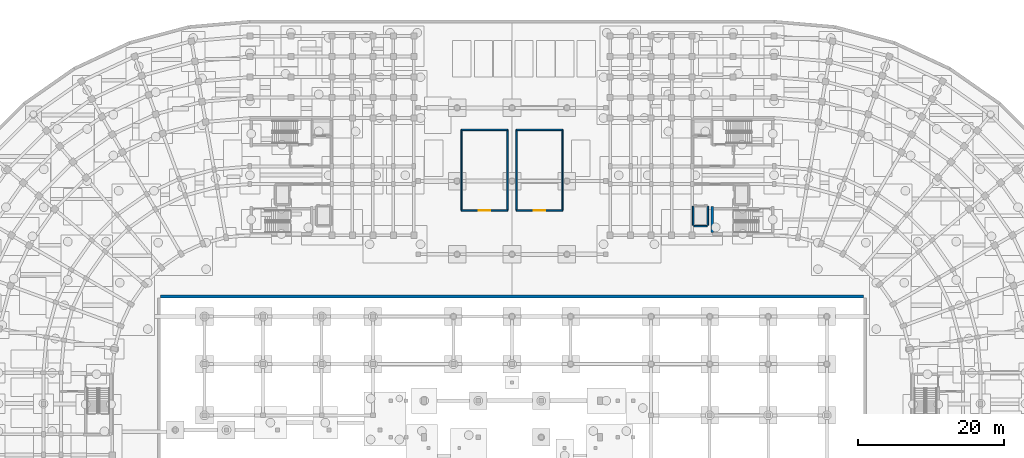
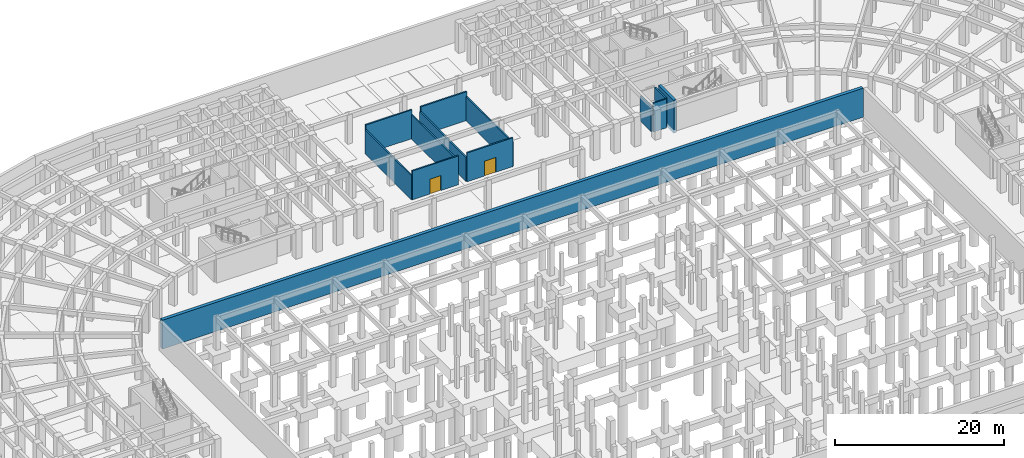
# One storey, part 35 of 53: 13 walls, 2 doors, 2 openings.
"""IFC4 building model written with IfcOpenShell, lengths in metres."""

import ifcopenshell
import ifcopenshell.guid

model = None  # the IFC model being written
_history = None  # IfcOwnerHistory: only IFC2X3 demands one
_inside = {}  # id of a spatial element -> (the spatial element, [elements in it])
_under = {}  # id of a project, library or spatial element -> (it, [spatial elements below it])
_declared = {}  # id of a project -> (the project, [libraries it declares])
_typed = {}  # id of a type object -> (the type object, [elements of that type])
_made_of = {}  # id of a material, layer set ... -> (it, [elements and type objects made of it])


def new_model(schema):
    """Start an empty IFC model of exactly this schema.

    Asked for "IFC4X3", IfcOpenShell would pick the latest addendum, in which some entities
    have other attributes; the version numbers below select the first issue.
    IFC2X3 requires an IfcOwnerHistory on every rooted entity: one is made here for all.
    """
    global model, _history
    if schema == "IFC4X3":
        model = ifcopenshell.file(schema_version=(4, 3, 0, 0))
    else:
        model = ifcopenshell.file(schema=schema)
    _inside.clear()
    _under.clear()
    _declared.clear()
    _typed.clear()
    _made_of.clear()
    _history = None
    if model.schema == "IFC2X3":
        org = make("IfcOrganization", Name="unknown")
        user = make(
            "IfcPersonAndOrganization",
            ThePerson=make("IfcPerson", FamilyName="unknown"),
            TheOrganization=org,
        )
        app = make(
            "IfcApplication",
            ApplicationDeveloper=org,
            Version="unknown",
            ApplicationFullName="unknown",
            ApplicationIdentifier="unknown",
        )
        _history = make(
            "IfcOwnerHistory",
            OwningUser=user,
            OwningApplication=app,
            ChangeAction="ADDED",
            CreationDate=0,
        )
    return model


def make(cls, **values):
    """One entity of the class cls with the attributes given. An attribute that is None is left unset."""
    return model.create_entity(
        cls, **{name: value for name, value in values.items() if value is not None}
    )


def rooted(cls, **values):
    """An entity with a GlobalId (a new one), such as an element, a storey or a relation."""
    return make(cls, GlobalId=ifcopenshell.guid.new(), OwnerHistory=_history, **values)


def si_unit(unit_type, name, prefix=None):
    """IfcSIUnit, for example si_unit("LENGTHUNIT", "METRE", prefix="MILLI")."""
    return make("IfcSIUnit", UnitType=unit_type, Prefix=prefix, Name=name)


def assignment(units):
    """IfcUnitAssignment: the units of a project."""
    return None if units is None else make("IfcUnitAssignment", Units=units)


def point(xyz):
    """IfcCartesianPoint."""
    return None if xyz is None else make("IfcCartesianPoint", Coordinates=xyz)


def direction(xyz):
    """IfcDirection."""
    return None if xyz is None else make("IfcDirection", DirectionRatios=xyz)


def frame(location, z_axis=None, x_axis=None):
    """IfcAxis2Placement3D, a coordinate frame: its origin and axes. An axis left out is left unset."""
    return make(
        "IfcAxis2Placement3D",
        Location=point(location),
        Axis=direction(z_axis),
        RefDirection=direction(x_axis),
    )


def frame_2d(location, x_axis=None):
    """IfcAxis2Placement2D, a coordinate frame in the plane: its origin and x axis."""
    return make(
        "IfcAxis2Placement2D", Location=point(location), RefDirection=direction(x_axis)
    )


def origin():
    """The frame at (0, 0, 0) with its axes left unset."""
    return frame((0.0, 0.0, 0.0))


def place(relative_to, where):
    """IfcLocalPlacement: puts the frame where relative to a parent placement (None: the world)."""
    return make(
        "IfcLocalPlacement", PlacementRelTo=relative_to, RelativePlacement=where
    )


def context(
    kind, dimensions, precision=None, world=None, true_north=None, identifier=None
):
    """IfcGeometricRepresentationContext, for example the 3D "Model" context."""
    return make(
        "IfcGeometricRepresentationContext",
        ContextIdentifier=identifier,
        ContextType=kind,
        CoordinateSpaceDimension=dimensions,
        Precision=precision,
        WorldCoordinateSystem=world,
        TrueNorth=true_north,
    )


def subcontext(parent, identifier, kind, view, scale=None):
    """IfcGeometricRepresentationSubContext, for example "Body" below "Model"."""
    return make(
        "IfcGeometricRepresentationSubContext",
        ContextIdentifier=identifier,
        ContextType=kind,
        ParentContext=parent,
        TargetScale=scale,
        TargetView=view,
    )


def project(units=None, contexts=None):
    """IfcProject with its units and contexts."""
    return rooted(
        "IfcProject",
        Name="project",
        RepresentationContexts=contexts,
        UnitsInContext=assignment(units),
    )


def spatial(cls, under=None, at=None, **own):
    """A site, building, storey or space (cls), placed at a placement, below another one or the project."""
    s = rooted(cls, ObjectPlacement=at, **own)
    if under is not None:
        _under.setdefault(under.id(), (under, []))[1].append(s)
    return s


def profile(cls, at=None, kind="AREA", **sizes):
    """A parametric profile (cls). Its sizes go by their IFC names, for example OverallWidth=200.0."""
    return make(cls, ProfileType=kind, Position=at, **sizes)


def rectangle(**sizes):
    """IfcRectangleProfileDef."""
    return profile("IfcRectangleProfileDef", **sizes)


def extrude(swept, where, along, depth):
    """IfcExtrudedAreaSolid: the profile swept, set in the frame where, extruded along a direction by depth."""
    return make(
        "IfcExtrudedAreaSolid",
        SweptArea=swept,
        Position=where,
        ExtrudedDirection=direction(along),
        Depth=depth,
    )


def shape(context_of_items, identifier, shape_type, items):
    """IfcShapeRepresentation: the items that make up one representation, for example the "Body"."""
    return make(
        "IfcShapeRepresentation",
        ContextOfItems=context_of_items,
        RepresentationIdentifier=identifier,
        RepresentationType=shape_type,
        Items=items,
    )


def material(Name=None, Category=None):
    """IfcMaterial."""
    return make("IfcMaterial", Name=Name, Category=Category)


def layer(
    of_material, thickness, ventilated=None, Name=None, Category=None, Priority=None
):
    """IfcMaterialLayer: one layer of a wall or slab, of a material (None: an air gap)."""
    return make(
        "IfcMaterialLayer",
        Material=of_material,
        LayerThickness=thickness,
        IsVentilated=ventilated,
        Name=Name,
        Category=Category,
        Priority=Priority,
    )


def layer_set(layers, Name=None):
    """IfcMaterialLayerSet."""
    return make("IfcMaterialLayerSet", MaterialLayers=layers, LayerSetName=Name)


def made_of(thing, what):
    """Note that an element or type object is made of a material, layer set ...; save() writes the relation."""
    if what is not None:
        _made_of.setdefault(what.id(), (what, []))[1].append(thing)
    return thing


def type_object(cls, material=None, **own):
    """A type object (cls), such as IfcWallType, which elements share."""
    return made_of(rooted(cls, **own), material)


def element(
    cls,
    number,
    at=None,
    inside=None,
    cuts=None,
    type_object=None,
    material=None,
    context=None,
    identifier="Body",
    shape_type=None,
    held_by="IfcProductDefinitionShape",
    body=None,
    shapes=None,
    **own,
):
    """One element of the class cls, such as IfcWall. Its Tag is "e" and its number.

    at: its placement. inside: the storey or other place that contains it. cuts: it is an
    opening in that element (IfcRelVoidsElement). A single representation is given by context,
    identifier, shape_type and body (its items); several are given by shapes. held_by: the class
    of the entity that holds the representations. save() writes the other relations.
    """
    e = rooted(cls, Tag="e%d" % number, ObjectPlacement=at, **own)
    if body is not None:
        shapes = [shape(context, identifier, shape_type, body)]
    if shapes is not None:
        e.Representation = make(held_by, Representations=shapes)
    if inside is not None:
        _inside.setdefault(inside.id(), (inside, []))[1].append(e)
    if cuts is not None:
        rooted(
            "IfcRelVoidsElement", RelatingBuildingElement=cuts, RelatedOpeningElement=e
        )
    if type_object is not None:
        _typed.setdefault(type_object.id(), (type_object, []))[1].append(e)
    return made_of(e, material)


def fill(opening, filler):
    """IfcRelFillsElement: the door or window that sits in an opening."""
    return rooted(
        "IfcRelFillsElement",
        RelatingOpeningElement=opening,
        RelatedBuildingElement=filler,
    )


def aggregate(whole, parts):
    """IfcRelAggregates: a whole, such as a stair, and the parts it consists of."""
    return rooted("IfcRelAggregates", RelatingObject=whole, RelatedObjects=parts)


def save(model, path):
    """Write the relations noted so far, then the file.

    IfcRelAggregates (storeys below a building ...), IfcRelContainedInSpatialStructure (elements
    in a storey), IfcRelDefinesByType, IfcRelAssociatesMaterial and IfcRelDeclares: one each for
    every whole, place, type object, material and project.
    """
    for whole, parts in _under.values():
        aggregate(whole, parts)
    for where, things in _inside.values():
        rooted(
            "IfcRelContainedInSpatialStructure",
            RelatedElements=things,
            RelatingStructure=where,
        )
    for kind, things in _typed.values():
        rooted("IfcRelDefinesByType", RelatedObjects=things, RelatingType=kind)
    for what, things in _made_of.values():
        rooted("IfcRelAssociatesMaterial", RelatedObjects=things, RelatingMaterial=what)
    for by, libraries in _declared.values():
        rooted("IfcRelDeclares", RelatingContext=by, RelatedDefinitions=libraries)
    model.write(path)


model = new_model("IFC4")

# Units and contexts
model_context = context("Model", 3, precision=1e-05, world=origin(), true_north=direction((0.0, 1.0)))
body_context = subcontext(model_context, "Body", "Model", "MODEL_VIEW")
ifc_project = project(units=[si_unit("LENGTHUNIT", "METRE"), si_unit("AREAUNIT", "SQUARE_METRE"), si_unit("VOLUMEUNIT", "CUBIC_METRE"), si_unit("PLANEANGLEUNIT", "RADIAN"), si_unit("MASSUNIT", "GRAM", prefix="KILO")], contexts=[model_context])

# Site, building, storey
site_placement = place(None, origin())
site = spatial("IfcSite", under=ifc_project, at=site_placement, CompositionType="ELEMENT")
building_placement = place(site_placement, origin())
building = spatial("IfcBuilding", under=site, at=building_placement, Name="Kiranvali Square Residences", CompositionType="ELEMENT")
storey_placement = place(building_placement, frame((0.0, 0.0, -4.5)))
storey = spatial("IfcBuildingStorey", under=building, at=storey_placement, Name="B1", CompositionType="ELEMENT", Elevation=-4.5)

# Walls
ifc_material_1 = material(Name="Concrete M40 (40 MPa)", Category="concrete")
ifc_layer_1 = layer(ifc_material_1, 0.449951171875)
ifc_layer_set_1 = layer_set([ifc_layer_1], Name="Concrete M40 (40 MPa)")
wall_type_1 = type_object("IfcWallType", Name="WL-RET-450", PredefinedType="USERDEFINED", material=ifc_layer_set_1)
wall_1_placement = place(storey_placement, frame((132.0, 98.22509765625, 0.0), z_axis=(0.0, 0.0, 1.0), x_axis=(-1.0, 0.0, 0.0)))
element("IfcWall", 1, at=wall_1_placement, inside=storey, type_object=wall_type_1, Name="Central garden substructure retaining wall RW-GDN-N", ObjectType="RETAINING WALL", PredefinedType="USERDEFINED", context=body_context, shape_type="SweptSolid", body=[
    extrude(rectangle(XDim=96.0, YDim=0.449951171875, at=frame_2d((48.0, 0.0))), origin(), (0.0, 0.0, 1.0), 4.199951171875),
])
ifc_material_2 = material(Name="Autoclaved aerated concrete blockwork masonry", Category="masonry")
ifc_layer_2 = layer(ifc_material_2, 0.199951171875)
ifc_layer_set_2 = layer_set([ifc_layer_2], Name="Autoclaved aerated concrete blockwork masonry")
wall_type_2 = type_object("IfcWallType", Name="WL-SHF-200", PredefinedType="STANDARD", material=ifc_layer_set_2)
wall_2_placement = place(storey_placement, frame((110.75, 107.949951171875, 0.0), z_axis=(0.0, 0.0, 1.0), x_axis=(0.0, 1.0, 0.0)))
element("IfcWall", 2, at=wall_2_placement, inside=storey, type_object=wall_type_2, Name="B1 architectural wall WL-B1-B-LP1-S1", PredefinedType="STANDARD", context=body_context, shape_type="SweptSolid", body=[
    extrude(rectangle(XDim=2.60009765625, YDim=0.199951171875, at=frame_2d((1.300048828125, 0.0))), origin(), (0.0, 0.0, 1.0), 4.179931640625),
])
wall_3_placement = place(storey_placement, frame((108.75, 107.949951171875, 0.0), z_axis=(0.0, 0.0, 1.0), x_axis=(0.0, 1.0, 0.0)))
element("IfcWall", 3, at=wall_3_placement, inside=storey, type_object=wall_type_2, Name="B1 architectural wall WL-B1-B-LP1-B", PredefinedType="STANDARD", context=body_context, shape_type="SweptSolid", body=[
    extrude(rectangle(XDim=2.60009765625, YDim=0.199951171875, at=frame_2d((1.300048828125, 0.0))), origin(), (0.0, 0.0, 1.0), 3.6220703125),
])
wall_4_placement = place(storey_placement, frame((110.64990234375, 107.85009765625, 0.0), z_axis=(0.0, 0.0, 1.0), x_axis=(-1.0, 0.0, 0.0)))
element("IfcWall", 4, at=wall_4_placement, inside=storey, type_object=wall_type_2, Name="B1 architectural wall WL-B1-B-LP1-S2", PredefinedType="STANDARD", context=body_context, shape_type="SweptSolid", body=[
    extrude(rectangle(XDim=1.7998046875, YDim=0.199951171875, at=frame_2d((0.89990234375, 0.0))), origin(), (0.0, 0.0, 1.0), 4.179931640625),
])

# Wall, opening, door
wall_5_placement = place(storey_placement, frame((77.10009765625, 110.0, 0.0), z_axis=(0.0, 0.0, 1.0), x_axis=(1.0, 0.0, 0.0)))
wall_5 = element("IfcWall", 5, at=wall_5_placement, inside=storey, type_object=wall_type_2, Name="B1 architectural wall WL-B1-HVAC-S", PredefinedType="STANDARD", context=body_context, shape_type="SweptSolid", body=[
    extrude(rectangle(XDim=6.2998046875, YDim=0.199951171875, at=frame_2d((3.14990234375, 0.0))), origin(), (0.0, 0.0, 1.0), 4.179931640625),
])
opening_1_placement = place(wall_5_placement, frame((2.3798828125, 0.0, 0.0)))
opening_1 = element("IfcOpeningElement", 6, at=opening_1_placement, cuts=wall_5, Name="Opening SD-PLT-120", PredefinedType="OPENING", context=body_context, shape_type="SweptSolid", body=[
    extrude(rectangle(XDim=1.5400390625, YDim=2.14990234375, at=frame_2d((0.77001953125, 1.074951171875))), frame((0.0, 0.10986328125, 0.0), z_axis=(0.0, -1.0, 0.0), x_axis=(1.0, 0.0, 0.0)), (0.0, 0.0, 1.0), 0.219970703125),
])
ifc_material_3 = material(Name="Galvanised powder-coated steel roller shutter", Category="steel")
door_type = type_object("IfcDoorType", Name="DR-STEEL-1500", OperationType="NOTDEFINED", PredefinedType="DOOR", material=ifc_material_3)
door_1_placement = place(opening_1_placement, frame((1.5400390625, 0.0, 0.0), z_axis=(0.0, 0.0, 1.0), x_axis=(-1.0, 0.0, 0.0)))
door_1 = element("IfcDoor", 7, at=door_1_placement, inside=storey, type_object=door_type, Name="B1 door DR-B1-0038 (DR-STEEL-1500)", OperationType="SINGLE_SWING_RIGHT", OverallHeight=2.14990234375, OverallWidth=1.5400390625, PredefinedType="DOOR", context=body_context, shape_type="SweptSolid", body=[
    extrude(rectangle(XDim=1.5400390625, YDim=2.14990234375, at=frame_2d((0.77001953125, 1.074951171875))), frame((0.0, 0.02490234375, 0.0), z_axis=(0.0, -1.0, 0.0), x_axis=(1.0, 0.0, 0.0)), (0.0, 0.0, 1.0), 0.050048828125),
])
fill(opening_1, door_1)

# Walls
wall_6_placement = place(storey_placement, frame((83.39990234375, 110.0, 0.0), z_axis=(0.0, 0.0, 1.0), x_axis=(0.0, 1.0, 0.0)))
element("IfcWall", 8, at=wall_6_placement, inside=storey, type_object=wall_type_2, Name="B1 architectural wall WL-B1-HVAC-E", PredefinedType="STANDARD", context=body_context, shape_type="SweptSolid", body=[
    extrude(rectangle(XDim=11.0, YDim=0.199951171875, at=frame_2d((5.5, 0.0))), origin(), (0.0, 0.0, 1.0), 3.491943359375),
])
wall_7_placement = place(storey_placement, frame((83.39990234375, 121.0, 0.0), z_axis=(0.0, 0.0, 1.0), x_axis=(-1.0, 0.0, 0.0)))
element("IfcWall", 9, at=wall_7_placement, inside=storey, type_object=wall_type_2, Name="B1 architectural wall WL-B1-HVAC-N", PredefinedType="STANDARD", context=body_context, shape_type="SweptSolid", body=[
    extrude(rectangle(XDim=6.2998046875, YDim=0.199951171875, at=frame_2d((3.14990234375, 0.0))), origin(), (0.0, 0.0, 1.0), 4.179931640625),
])
wall_8_placement = place(storey_placement, frame((77.10009765625, 121.0, 0.0), z_axis=(0.0, 0.0, 1.0), x_axis=(0.0, -1.0, 0.0)))
element("IfcWall", 10, at=wall_8_placement, inside=storey, type_object=wall_type_2, Name="B1 architectural wall WL-B1-HVAC-W", PredefinedType="STANDARD", context=body_context, shape_type="SweptSolid", body=[
    extrude(rectangle(XDim=11.0, YDim=0.199951171875, at=frame_2d((5.5, 0.0))), origin(), (0.0, 0.0, 1.0), 3.491943359375),
])

# Wall, opening, door
wall_9_placement = place(storey_placement, frame((84.60009765625, 110.0, 0.0), z_axis=(0.0, 0.0, 1.0), x_axis=(1.0, 0.0, 0.0)))
wall_9 = element("IfcWall", 11, at=wall_9_placement, inside=storey, type_object=wall_type_2, Name="B1 architectural wall WL-B1-REFUSE-S", PredefinedType="STANDARD", context=body_context, shape_type="SweptSolid", body=[
    extrude(rectangle(XDim=6.2998046875, YDim=0.199951171875, at=frame_2d((3.14990234375, 0.0))), origin(), (0.0, 0.0, 1.0), 4.179931640625),
])
opening_2_placement = place(wall_9_placement, frame((2.3798828125, 0.0, 0.0)))
opening_2 = element("IfcOpeningElement", 12, at=opening_2_placement, cuts=wall_9, Name="Opening SD-PLT-120", PredefinedType="OPENING", context=body_context, shape_type="SweptSolid", body=[
    extrude(rectangle(XDim=1.5400390625, YDim=2.14990234375, at=frame_2d((0.77001953125, 1.074951171875))), frame((0.0, 0.10986328125, 0.0), z_axis=(0.0, -1.0, 0.0), x_axis=(1.0, 0.0, 0.0)), (0.0, 0.0, 1.0), 0.219970703125),
])
door_2_placement = place(opening_2_placement, frame((1.5400390625, 0.0, 0.0), z_axis=(0.0, 0.0, 1.0), x_axis=(-1.0, 0.0, 0.0)))
door_2 = element("IfcDoor", 13, at=door_2_placement, inside=storey, type_object=door_type, Name="B1 door DR-B1-0039 (DR-STEEL-1500)", OperationType="SINGLE_SWING_LEFT", OverallHeight=2.14990234375, OverallWidth=1.5400390625, PredefinedType="DOOR", context=body_context, shape_type="SweptSolid", body=[
    extrude(rectangle(XDim=1.5400390625, YDim=2.14990234375, at=frame_2d((0.77001953125, 1.074951171875))), frame((0.0, 0.02490234375, 0.0), z_axis=(0.0, -1.0, 0.0), x_axis=(1.0, 0.0, 0.0)), (0.0, 0.0, 1.0), 0.050048828125),
])
fill(opening_2, door_2)

# Walls
wall_10_placement = place(storey_placement, frame((90.89990234375, 110.0, 0.0), z_axis=(0.0, 0.0, 1.0), x_axis=(0.0, 1.0, 0.0)))
element("IfcWall", 14, at=wall_10_placement, inside=storey, type_object=wall_type_2, Name="B1 architectural wall WL-B1-REFUSE-E", PredefinedType="STANDARD", context=body_context, shape_type="SweptSolid", body=[
    extrude(rectangle(XDim=11.0, YDim=0.199951171875, at=frame_2d((5.5, 0.0))), origin(), (0.0, 0.0, 1.0), 3.491943359375),
])
wall_11_placement = place(storey_placement, frame((90.89990234375, 121.0, 0.0), z_axis=(0.0, 0.0, 1.0), x_axis=(-1.0, 0.0, 0.0)))
element("IfcWall", 15, at=wall_11_placement, inside=storey, type_object=wall_type_2, Name="B1 architectural wall WL-B1-REFUSE-N", PredefinedType="STANDARD", context=body_context, shape_type="SweptSolid", body=[
    extrude(rectangle(XDim=6.2998046875, YDim=0.199951171875, at=frame_2d((3.14990234375, 0.0))), origin(), (0.0, 0.0, 1.0), 4.179931640625),
])
wall_12_placement = place(storey_placement, frame((84.60009765625, 121.0, 0.0), z_axis=(0.0, 0.0, 1.0), x_axis=(0.0, -1.0, 0.0)))
element("IfcWall", 16, at=wall_12_placement, inside=storey, type_object=wall_type_2, Name="B1 architectural wall WL-B1-REFUSE-W", PredefinedType="STANDARD", context=body_context, shape_type="SweptSolid", body=[
    extrude(rectangle(XDim=11.0, YDim=0.199951171875, at=frame_2d((5.5, 0.0))), origin(), (0.0, 0.0, 1.0), 3.491943359375),
])
ifc_material_4 = material(Name="Concrete M50 (50 MPa)", Category="concrete")
ifc_layer_3 = layer(ifc_material_4, 0.35009765625)
ifc_layer_set_3 = layer_set([ifc_layer_3], Name="Concrete M50 (50 MPa)")
wall_type_3 = type_object("IfcWallType", Name="WL-SHR-350", PredefinedType="SHEAR", material=ifc_layer_set_3)
wall_13_placement = place(storey_placement, frame((111.375, 106.949951171875, -0.5), z_axis=(0.0, 0.0, 1.0), x_axis=(0.0, 1.0, 0.0)))
element("IfcWall", 17, at=wall_13_placement, inside=storey, type_object=wall_type_3, Name="Block B core shear wall SW-B2-FAR-B1", PredefinedType="SHEAR", context=body_context, shape_type="SweptSolid", body=[
    extrude(rectangle(XDim=3.60009765625, YDim=0.35009765625, at=frame_2d((1.800048828125, 0.0))), origin(), (0.0, 0.0, 1.0), 4.780029296875),
])

save(model, "model.ifc")
